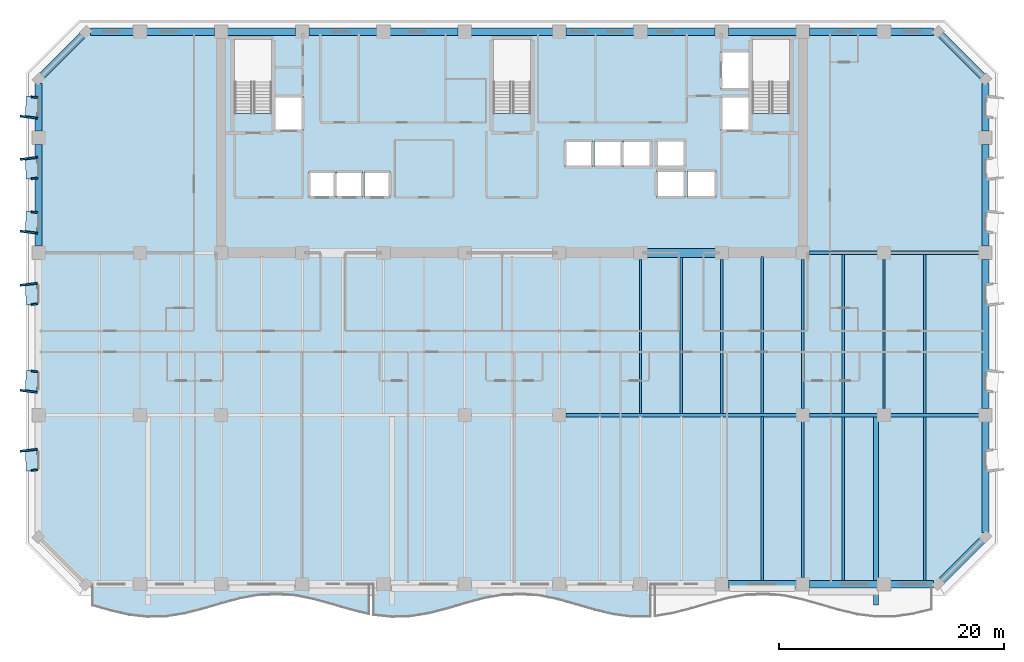
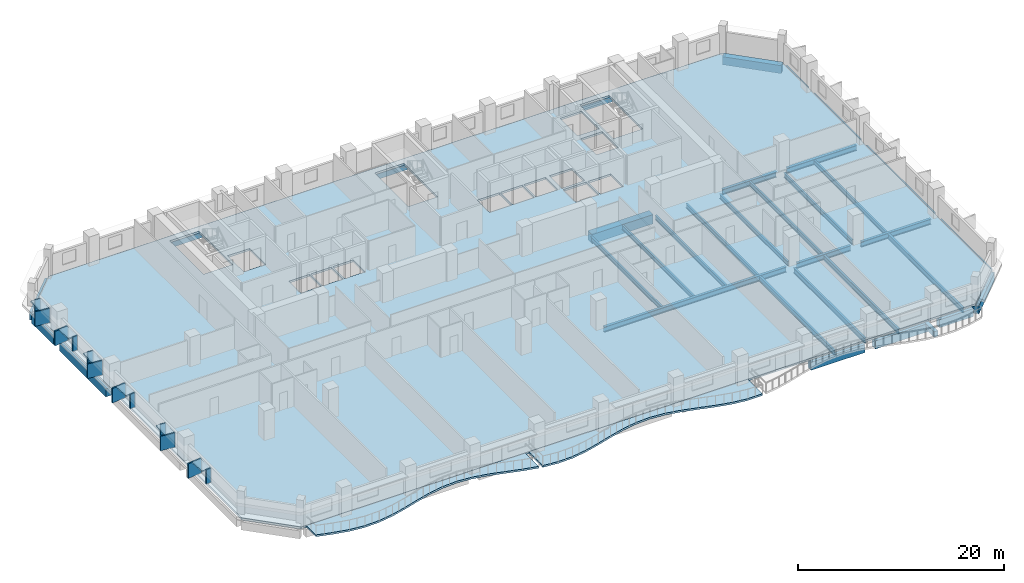
# One storey, part 2 of 14: 42 beams, 18 plates, 3 slabs.
"""IFC4 building model written with IfcOpenShell, lengths in metres."""

from ifc_helpers import new_model, si_unit, direction, frame, origin, origin_2d, place, context, subcontext, project, spatial, polyline, rectangle, i_section, outline, extrude, material, layer, layer_set, material_profile, profile_set, type_object, element, save


model = new_model("IFC4")

# Units and contexts
model_context = context("Model", 3, precision=1e-05, world=origin(), true_north=direction((0.0, 1.0)))
body_context = subcontext(model_context, "Body", "Model", "MODEL_VIEW")
ifc_project = project(units=[si_unit("LENGTHUNIT", "METRE"), si_unit("AREAUNIT", "SQUARE_METRE"), si_unit("VOLUMEUNIT", "CUBIC_METRE"), si_unit("PLANEANGLEUNIT", "RADIAN"), si_unit("MASSUNIT", "GRAM", prefix="KILO")], contexts=[model_context])

# Site, building, storey
site_placement = place(None, origin())
site = spatial("IfcSite", under=ifc_project, at=site_placement, CompositionType="ELEMENT")
building_placement = place(site_placement, origin())
building = spatial("IfcBuilding", under=site, at=building_placement, Name="Kaelvorn Grand Hotel", CompositionType="ELEMENT")
storey_placement = place(building_placement, frame((0.0, 0.0, 89.300048828125)))
storey = spatial("IfcBuildingStorey", under=building, at=storey_placement, Name="L20", CompositionType="ELEMENT", Elevation=89.300048828125)

# Beams
ifc_material_1 = material(Name="Steel S355", Category="steel")
ifc_material_profile_1 = material_profile(ifc_material_1, i_section(OverallWidth=0.300048828125, OverallDepth=0.64990234375, WebThickness=0.01611328125, FlangeThickness=0.031005859375, FilletRadius=0.027099609375, at=origin_2d()), Name="HEB 650")
ifc_profile_set_1 = profile_set([ifc_material_profile_1], Name="Steel S355")
beam_type_1 = type_object("IfcBeamType", Name="BM-G-HEB650-S355", PredefinedType="BEAM", material=ifc_profile_set_1)
beam_1_placement = place(storey_placement, frame((46.784912109375, 15.0, -0.56494140625), z_axis=(1.0, 0.0, 0.0), x_axis=(0.0, 1.0, 0.0)))
element("IfcBeam", 1, at=beam_1_placement, inside=storey, type_object=beam_type_1, Name="L20 Primary Spine Steel Girder G-15 05", PredefinedType="BEAM", context=body_context, shape_type="SweptSolid", body=[
    extrude(i_section(OverallWidth=0.300048828125, OverallDepth=0.64990234375, WebThickness=0.01611328125, FlangeThickness=0.031005859375, FilletRadius=0.027099609375, at=origin_2d()), origin(), (0.0, 0.0, 1.0), 20.43017578125),
])
beam_2_placement = place(storey_placement, frame((68.385009765625, 15.0, -0.56494140625), z_axis=(1.0, 0.0, 0.0), x_axis=(0.0, 1.0, 0.0)))
element("IfcBeam", 2, at=beam_2_placement, inside=storey, type_object=beam_type_1, Name="L20 Primary Spine Steel Girder G-15 06", PredefinedType="BEAM", context=body_context, shape_type="SweptSolid", body=[
    extrude(i_section(OverallWidth=0.300048828125, OverallDepth=0.64990234375, WebThickness=0.01611328125, FlangeThickness=0.031005859375, FilletRadius=0.027099609375, at=origin_2d()), origin(), (0.0, 0.0, 1.0), 6.030029296875),
])
beam_3_placement = place(storey_placement, frame((75.5849609375, 15.0, -0.56494140625), z_axis=(1.0, 0.0, 0.0), x_axis=(0.0, 1.0, 0.0)))
element("IfcBeam", 3, at=beam_3_placement, inside=storey, type_object=beam_type_1, Name="L20 Primary Spine Steel Girder G-15 07", PredefinedType="BEAM", context=body_context, shape_type="SweptSolid", body=[
    extrude(i_section(OverallWidth=0.300048828125, OverallDepth=0.64990234375, WebThickness=0.01611328125, FlangeThickness=0.031005859375, FilletRadius=0.027099609375, at=origin_2d()), origin(), (0.0, 0.0, 1.0), 7.830078125),
])
beam_4_placement = place(storey_placement, frame((68.385009765625, 29.39990234375, -0.56494140625), z_axis=(1.0, 0.0, 0.0), x_axis=(0.0, 1.0, 0.0)))
element("IfcBeam", 4, at=beam_4_placement, inside=storey, type_object=beam_type_1, Name="L20 East Core Wing Steel Girder G-29E 01", PredefinedType="BEAM", context=body_context, shape_type="SweptSolid", body=[
    extrude(i_section(OverallWidth=0.300048828125, OverallDepth=0.64990234375, WebThickness=0.01611328125, FlangeThickness=0.031005859375, FilletRadius=0.027099609375, at=origin_2d()), origin(), (0.0, 0.0, 1.0), 6.030029296875),
])
beam_5_placement = place(storey_placement, frame((75.5849609375, 29.39990234375, -0.56494140625), z_axis=(1.0, 0.0, 0.0), x_axis=(0.0, 1.0, 0.0)))
element("IfcBeam", 5, at=beam_5_placement, inside=storey, type_object=beam_type_1, Name="L20 East Core Wing Steel Girder G-29E 02", PredefinedType="BEAM", context=body_context, shape_type="SweptSolid", body=[
    extrude(i_section(OverallWidth=0.300048828125, OverallDepth=0.64990234375, WebThickness=0.01611328125, FlangeThickness=0.031005859375, FilletRadius=0.027099609375, at=origin_2d()), origin(), (0.0, 0.0, 1.0), 7.830078125),
])
ifc_material_profile_2 = material_profile(ifc_material_1, i_section(OverallWidth=0.209228515625, OverallDepth=0.533203125, WebThickness=0.010009765625, FlangeThickness=0.015625, FilletRadius=0.0126953125, at=origin_2d()), Name="UB 533x210x92")
ifc_profile_set_2 = profile_set([ifc_material_profile_2], Name="Steel S355")
beam_type_2 = type_object("IfcBeamType", Name="BM-J-UB533-S355", PredefinedType="JOIST", material=ifc_profile_set_2)
beam_6_placement = place(storey_placement, frame((53.39990234375, 15.135009765625, -0.506591796875), z_axis=(0.0, 1.0, 0.0), x_axis=(-1.0, 0.0, 0.0)))
element("IfcBeam", 6, at=beam_6_placement, inside=storey, type_object=beam_type_2, Name="L20 Composite Floor Joist JM-15", PredefinedType="JOIST", context=body_context, shape_type="SweptSolid", body=[
    extrude(i_section(OverallWidth=0.209228515625, OverallDepth=0.533203125, WebThickness=0.010009765625, FlangeThickness=0.015625, FilletRadius=0.0126953125, at=origin_2d()), origin(), (0.0, 0.0, 1.0), 13.679931640625),
])
beam_7_placement = place(storey_placement, frame((57.0, 15.135009765625, -0.506591796875), z_axis=(0.0, 1.0, 0.0), x_axis=(-1.0, 0.0, 0.0)))
element("IfcBeam", 7, at=beam_7_placement, inside=storey, type_object=beam_type_2, Name="L20 Composite Floor Joist JM-16", PredefinedType="JOIST", context=body_context, shape_type="SweptSolid", body=[
    extrude(i_section(OverallWidth=0.209228515625, OverallDepth=0.533203125, WebThickness=0.010009765625, FlangeThickness=0.015625, FilletRadius=0.0126953125, at=origin_2d()), origin(), (0.0, 0.0, 1.0), 13.925048828125),
])
beam_8_placement = place(storey_placement, frame((60.60009765625, 15.135009765625, -0.506591796875), z_axis=(0.0, 1.0, 0.0), x_axis=(-1.0, 0.0, 0.0)))
element("IfcBeam", 8, at=beam_8_placement, inside=storey, type_object=beam_type_2, Name="L20 Composite Floor Joist JM-17", PredefinedType="JOIST", context=body_context, shape_type="SweptSolid", body=[
    extrude(i_section(OverallWidth=0.209228515625, OverallDepth=0.533203125, WebThickness=0.010009765625, FlangeThickness=0.015625, FilletRadius=0.0126953125, at=origin_2d()), origin(), (0.0, 0.0, 1.0), 13.679931640625),
])
beam_9_placement = place(storey_placement, frame((64.199951171875, 15.135009765625, -0.506591796875), z_axis=(0.0, 1.0, 0.0), x_axis=(-1.0, 0.0, 0.0)))
element("IfcBeam", 9, at=beam_9_placement, inside=storey, type_object=beam_type_2, Name="L20 Composite Floor Joist JM-18", PredefinedType="JOIST", context=body_context, shape_type="SweptSolid", body=[
    extrude(i_section(OverallWidth=0.209228515625, OverallDepth=0.533203125, WebThickness=0.010009765625, FlangeThickness=0.015625, FilletRadius=0.0126953125, at=origin_2d()), origin(), (0.0, 0.0, 1.0), 13.925048828125),
])
beam_10_placement = place(storey_placement, frame((67.800048828125, 15.5849609375, -0.506591796875), z_axis=(0.0, 1.0, 0.0), x_axis=(-1.0, 0.0, 0.0)))
element("IfcBeam", 10, at=beam_10_placement, inside=storey, type_object=beam_type_2, Name="L20 Composite Floor Joist JM-19", PredefinedType="JOIST", context=body_context, shape_type="SweptSolid", body=[
    extrude(i_section(OverallWidth=0.209228515625, OverallDepth=0.533203125, WebThickness=0.010009765625, FlangeThickness=0.015625, FilletRadius=0.0126953125, at=origin_2d()), origin(), (0.0, 0.0, 1.0), 13.22998046875),
])
beam_11_placement = place(storey_placement, frame((71.39990234375, 15.135009765625, -0.506591796875), z_axis=(0.0, 1.0, 0.0), x_axis=(-1.0, 0.0, 0.0)))
element("IfcBeam", 11, at=beam_11_placement, inside=storey, type_object=beam_type_2, Name="L20 Composite Floor Joist JM-20", PredefinedType="JOIST", context=body_context, shape_type="SweptSolid", body=[
    extrude(i_section(OverallWidth=0.209228515625, OverallDepth=0.533203125, WebThickness=0.010009765625, FlangeThickness=0.015625, FilletRadius=0.0126953125, at=origin_2d()), origin(), (0.0, 0.0, 1.0), 14.1298828125),
])
beam_12_placement = place(storey_placement, frame((75.0, 15.5849609375, -0.506591796875), z_axis=(0.0, 1.0, 0.0), x_axis=(-1.0, 0.0, 0.0)))
element("IfcBeam", 12, at=beam_12_placement, inside=storey, type_object=beam_type_2, Name="L20 Composite Floor Joist JM-21", PredefinedType="JOIST", context=body_context, shape_type="SweptSolid", body=[
    extrude(i_section(OverallWidth=0.209228515625, OverallDepth=0.533203125, WebThickness=0.010009765625, FlangeThickness=0.015625, FilletRadius=0.0126953125, at=origin_2d()), origin(), (0.0, 0.0, 1.0), 13.22998046875),
])
beam_13_placement = place(storey_placement, frame((78.60009765625, 15.135009765625, -0.506591796875), z_axis=(0.0, 1.0, 0.0), x_axis=(-1.0, 0.0, 0.0)))
element("IfcBeam", 13, at=beam_13_placement, inside=storey, type_object=beam_type_2, Name="L20 Composite Floor Joist JM-22", PredefinedType="JOIST", context=body_context, shape_type="SweptSolid", body=[
    extrude(i_section(OverallWidth=0.209228515625, OverallDepth=0.533203125, WebThickness=0.010009765625, FlangeThickness=0.015625, FilletRadius=0.0126953125, at=origin_2d()), origin(), (0.0, 0.0, 1.0), 14.1298828125),
])
ifc_material_profile_3 = material_profile(ifc_material_1, i_section(OverallWidth=0.22900390625, OverallDepth=0.6123046875, WebThickness=0.011962890625, FlangeThickness=0.01953125, FilletRadius=0.0126953125, at=origin_2d()), Name="UB 610x229x125")
ifc_profile_set_3 = profile_set([ifc_material_profile_3], Name="Steel S355")
beam_type_3 = type_object("IfcBeamType", Name="BM-J-UB610-S355", PredefinedType="JOIST", material=ifc_profile_set_3)
beam_14_placement = place(storey_placement, frame((64.199951171875, 0.31005859375, -0.546142578125), z_axis=(0.0, 1.0, 0.0), x_axis=(-1.0, 0.0, 0.0)))
element("IfcBeam", 14, at=beam_14_placement, inside=storey, type_object=beam_type_3, Name="L20 Composite Floor Joist JS-18", PredefinedType="JOIST", context=body_context, shape_type="SweptSolid", body=[
    extrude(i_section(OverallWidth=0.22900390625, OverallDepth=0.6123046875, WebThickness=0.011962890625, FlangeThickness=0.01953125, FilletRadius=0.0126953125, at=origin_2d()), origin(), (0.0, 0.0, 1.0), 14.554931640625),
])
beam_15_placement = place(storey_placement, frame((67.800048828125, 0.5849609375, -0.546142578125), z_axis=(0.0, 1.0, 0.0), x_axis=(-1.0, 0.0, 0.0)))
element("IfcBeam", 15, at=beam_15_placement, inside=storey, type_object=beam_type_3, Name="L20 Composite Floor Joist JS-19", PredefinedType="JOIST", context=body_context, shape_type="SweptSolid", body=[
    extrude(i_section(OverallWidth=0.22900390625, OverallDepth=0.6123046875, WebThickness=0.011962890625, FlangeThickness=0.01953125, FilletRadius=0.0126953125, at=origin_2d()), origin(), (0.0, 0.0, 1.0), 13.830078125),
])
for number, where, z_axis, x_axis, name in (
    (16, (71.39990234375, 0.31005859375, -0.546142578125), (0.0, 1.0, 0.0), (-1.0, 0.0, 0.0), "L20 Composite Floor Joist JS-20"),
    (17, (78.60009765625, 0.31005859375, -0.546142578125), (0.0, 1.0, 0.0), (-1.0, 0.0, 0.0), "L20 Composite Floor Joist JS-22"),
):
    element("IfcBeam", number, at=place(storey_placement, frame(where, z_axis=z_axis, x_axis=x_axis)), inside=storey, type_object=beam_type_3, Name=name, PredefinedType="JOIST", context=body_context, shape_type="SweptSolid", body=[
        extrude(i_section(OverallWidth=0.22900390625, OverallDepth=0.6123046875, WebThickness=0.011962890625, FlangeThickness=0.01953125, FilletRadius=0.0126953125, at=origin_2d()), origin(), (0.0, 0.0, 1.0), 14.554931640625),
    ])
ifc_material_2 = material(Name="Concrete C60/75", Category="concrete")
ifc_material_profile_4 = material_profile(ifc_material_2, rectangle(XDim=0.800048828125, YDim=1.10009765625, at=origin_2d()), Name="RC LINTEL 800x1100")
ifc_profile_set_4 = profile_set([ifc_material_profile_4], Name="Concrete C60/75")
beam_type_4 = type_object("IfcBeamType", Name="BM-LIN-800x1100-C60", PredefinedType="LINTEL", material=ifc_profile_set_4)
beam_16_placement = place(storey_placement, frame((53.580078125, 29.39990234375, -0.7900390625), z_axis=(1.0, 0.0, 0.0), x_axis=(0.0, 1.0, 0.0)))
element("IfcBeam", 18, at=beam_16_placement, inside=storey, type_object=beam_type_4, Name="L20 Rear-Core Coupling Lintel Beam CB1-03", PredefinedType="LINTEL", context=body_context, shape_type="SweptSolid", body=[
    extrude(rectangle(XDim=0.800048828125, YDim=1.10009765625, at=origin_2d()), origin(), (0.0, 0.0, 1.0), 6.83984375),
])
ifc_material_3 = material(Name="Concrete C40/50", Category="concrete")
ifc_material_profile_5 = material_profile(ifc_material_3, rectangle(XDim=0.449951171875, YDim=0.64990234375, at=origin_2d()), Name="RC RIB 450x650")
ifc_profile_set_5 = profile_set([ifc_material_profile_5], Name="Concrete C40/50")
beam_type_5 = type_object("IfcBeamType", Name="BM-RIB-450x650-C40", PredefinedType="SPANDREL", material=ifc_profile_set_5)
beam_17_placement = place(storey_placement, frame((74.293212890625, -1.85009765625, -0.545166015625), z_axis=(0.0, 1.0, 0.0), x_axis=(-1.0, 0.0, 0.0)))
element("IfcBeam", 19, at=beam_17_placement, inside=storey, type_object=beam_type_5, Name="L20 Cantilevered Balcony Back-Span Rib RB1-3", PredefinedType="SPANDREL", context=body_context, shape_type="SweptSolid", body=[
    extrude(rectangle(XDim=0.449951171875, YDim=0.64990234375, at=origin_2d()), origin(), (0.0, 0.0, 1.0), 16.715087890625),
])
ifc_material_profile_6 = material_profile(ifc_material_2, rectangle(XDim=0.64990234375, YDim=0.949951171875, at=origin_2d()), Name="RC SPANDREL 650x950")
ifc_profile_set_6 = profile_set([ifc_material_profile_6], Name="Concrete C60/75")
beam_type_6 = type_object("IfcBeamType", Name="BM-SP-650x950-C60", PredefinedType="SPANDREL", material=ifc_profile_set_6)
for number, where, z_axis, x_axis, name in (
    (20, (61.18505859375, 0.0, -0.715087890625), (1.0, 0.0, 0.0), (0.0, 1.0, 0.0), "L20 South Perimeter Spandrel 09"),
    (21, (68.385009765625, 0.0, -0.715087890625), (1.0, 0.0, 0.0), (0.0, 1.0, 0.0), "L20 South Perimeter Spandrel 10"),
):
    element("IfcBeam", number, at=place(storey_placement, frame(where, z_axis=z_axis, x_axis=x_axis)), inside=storey, type_object=beam_type_6, Name=name, PredefinedType="SPANDREL", context=body_context, shape_type="SweptSolid", body=[
        extrude(rectangle(XDim=0.64990234375, YDim=0.949951171875, at=origin_2d()), origin(), (0.0, 0.0, 1.0), 6.030029296875),
    ])
for number, where, z_axis, x_axis, name in (
    (22, (75.5849609375, 0.0, -0.715087890625), (1.0, 0.0, 0.0), (0.0, 1.0, 0.0), "L20 South Perimeter Spandrel 11"),
    (23, (4.60498046875, 49.0, -0.715087890625), (1.0, 0.0, 0.0), (0.0, 1.0, 0.0), "L20 North Perimeter Spandrel 01"),
):
    element("IfcBeam", number, at=place(storey_placement, frame(where, z_axis=z_axis, x_axis=x_axis)), inside=storey, type_object=beam_type_6, Name=name, PredefinedType="SPANDREL", context=body_context, shape_type="SweptSolid", body=[
        extrude(rectangle(XDim=0.64990234375, YDim=0.949951171875, at=origin_2d()), origin(), (0.0, 0.0, 1.0), 3.81005859375),
    ])
for number, where, z_axis, x_axis, name in (
    (24, (9.5849609375, 49.0, -0.715087890625), (1.0, 0.0, 0.0), (0.0, 1.0, 0.0), "L20 North Perimeter Spandrel 02"),
    (25, (16.784912109375, 49.0, -0.715087890625), (1.0, 0.0, 0.0), (0.0, 1.0, 0.0), "L20 North Perimeter Spandrel 03"),
):
    element("IfcBeam", number, at=place(storey_placement, frame(where, z_axis=z_axis, x_axis=x_axis)), inside=storey, type_object=beam_type_6, Name=name, PredefinedType="SPANDREL", context=body_context, shape_type="SweptSolid", body=[
        extrude(rectangle(XDim=0.64990234375, YDim=0.949951171875, at=origin_2d()), origin(), (0.0, 0.0, 1.0), 6.030029296875),
    ])
beam_18_placement = place(storey_placement, frame((23.985107421875, 49.0, -0.715087890625), z_axis=(1.0, 0.0, 0.0), x_axis=(0.0, 1.0, 0.0)))
element("IfcBeam", 26, at=beam_18_placement, inside=storey, type_object=beam_type_6, Name="L20 North Perimeter Spandrel 04", PredefinedType="SPANDREL", context=body_context, shape_type="SweptSolid", body=[
    extrude(rectangle(XDim=0.64990234375, YDim=0.949951171875, at=origin_2d()), origin(), (0.0, 0.0, 1.0), 6.02978515625),
])
beam_19_placement = place(storey_placement, frame((31.18505859375, 49.0, -0.715087890625), z_axis=(1.0, 0.0, 0.0), x_axis=(0.0, 1.0, 0.0)))
element("IfcBeam", 27, at=beam_19_placement, inside=storey, type_object=beam_type_6, Name="L20 North Perimeter Spandrel 05", PredefinedType="SPANDREL", context=body_context, shape_type="SweptSolid", body=[
    extrude(rectangle(XDim=0.64990234375, YDim=0.949951171875, at=origin_2d()), origin(), (0.0, 0.0, 1.0), 6.030029296875),
])
beam_20_placement = place(storey_placement, frame((38.385009765625, 49.0, -0.715087890625), z_axis=(1.0, 0.0, 0.0), x_axis=(0.0, 1.0, 0.0)))
element("IfcBeam", 28, at=beam_20_placement, inside=storey, type_object=beam_type_6, Name="L20 North Perimeter Spandrel 06", PredefinedType="SPANDREL", context=body_context, shape_type="SweptSolid", body=[
    extrude(rectangle(XDim=0.64990234375, YDim=0.949951171875, at=origin_2d()), origin(), (0.0, 0.0, 1.0), 7.22998046875),
])
beam_21_placement = place(storey_placement, frame((46.784912109375, 49.0, -0.715087890625), z_axis=(1.0, 0.0, 0.0), x_axis=(0.0, 1.0, 0.0)))
element("IfcBeam", 29, at=beam_21_placement, inside=storey, type_object=beam_type_6, Name="L20 North Perimeter Spandrel 07", PredefinedType="SPANDREL", context=body_context, shape_type="SweptSolid", body=[
    extrude(rectangle(XDim=0.64990234375, YDim=0.949951171875, at=origin_2d()), origin(), (0.0, 0.0, 1.0), 6.030029296875),
])
beam_22_placement = place(storey_placement, frame((53.985107421875, 49.0, -0.715087890625), z_axis=(1.0, 0.0, 0.0), x_axis=(0.0, 1.0, 0.0)))
element("IfcBeam", 30, at=beam_22_placement, inside=storey, type_object=beam_type_6, Name="L20 North Perimeter Spandrel 08", PredefinedType="SPANDREL", context=body_context, shape_type="SweptSolid", body=[
    extrude(rectangle(XDim=0.64990234375, YDim=0.949951171875, at=origin_2d()), origin(), (0.0, 0.0, 1.0), 6.02978515625),
])
for number, where, z_axis, x_axis, name in (
    (31, (61.18505859375, 49.0, -0.715087890625), (1.0, 0.0, 0.0), (0.0, 1.0, 0.0), "L20 North Perimeter Spandrel 09"),
    (32, (68.385009765625, 49.0, -0.715087890625), (1.0, 0.0, 0.0), (0.0, 1.0, 0.0), "L20 North Perimeter Spandrel 10"),
):
    element("IfcBeam", number, at=place(storey_placement, frame(where, z_axis=z_axis, x_axis=x_axis)), inside=storey, type_object=beam_type_6, Name=name, PredefinedType="SPANDREL", context=body_context, shape_type="SweptSolid", body=[
        extrude(rectangle(XDim=0.64990234375, YDim=0.949951171875, at=origin_2d()), origin(), (0.0, 0.0, 1.0), 6.030029296875),
    ])
beam_23_placement = place(storey_placement, frame((75.5849609375, 49.0, -0.715087890625), z_axis=(1.0, 0.0, 0.0), x_axis=(0.0, 1.0, 0.0)))
element("IfcBeam", 33, at=beam_23_placement, inside=storey, type_object=beam_type_6, Name="L20 North Perimeter Spandrel 11", PredefinedType="SPANDREL", context=body_context, shape_type="SweptSolid", body=[
    extrude(rectangle(XDim=0.64990234375, YDim=0.949951171875, at=origin_2d()), origin(), (0.0, 0.0, 1.0), 3.81005859375),
])
beam_24_placement = place(storey_placement, frame((0.0, 29.985107421875, -0.715087890625), z_axis=(0.0, 1.0, 0.0), x_axis=(-1.0, 0.0, 0.0)))
element("IfcBeam", 34, at=beam_24_placement, inside=storey, type_object=beam_type_6, Name="L20 West Perimeter Spandrel 03", PredefinedType="SPANDREL", context=body_context, shape_type="SweptSolid", body=[
    extrude(rectangle(XDim=0.64990234375, YDim=0.949951171875, at=origin_2d()), origin(), (0.0, 0.0, 1.0), 9.02978515625),
])
beam_25_placement = place(storey_placement, frame((0.0, 40.18505859375, -0.715087890625), z_axis=(0.0, 1.0, 0.0), x_axis=(-1.0, 0.0, 0.0)))
element("IfcBeam", 35, at=beam_25_placement, inside=storey, type_object=beam_type_6, Name="L20 West Perimeter Spandrel 04", PredefinedType="SPANDREL", context=body_context, shape_type="SweptSolid", body=[
    extrude(rectangle(XDim=0.64990234375, YDim=0.949951171875, at=origin_2d()), origin(), (0.0, 0.0, 1.0), 4.2099609375),
])
beam_26_placement = place(storey_placement, frame((84.0, 4.60498046875, -0.715087890625), z_axis=(0.0, 1.0, 0.0), x_axis=(-1.0, 0.0, 0.0)))
element("IfcBeam", 36, at=beam_26_placement, inside=storey, type_object=beam_type_6, Name="L20 East Perimeter Spandrel 01", PredefinedType="SPANDREL", context=body_context, shape_type="SweptSolid", body=[
    extrude(rectangle(XDim=0.64990234375, YDim=0.949951171875, at=origin_2d()), origin(), (0.0, 0.0, 1.0), 9.81005859375),
])
beam_27_placement = place(storey_placement, frame((84.0, 15.5849609375, -0.715087890625), z_axis=(0.0, 1.0, 0.0), x_axis=(-1.0, 0.0, 0.0)))
element("IfcBeam", 37, at=beam_27_placement, inside=storey, type_object=beam_type_6, Name="L20 East Perimeter Spandrel 02", PredefinedType="SPANDREL", context=body_context, shape_type="SweptSolid", body=[
    extrude(rectangle(XDim=0.64990234375, YDim=0.949951171875, at=origin_2d()), origin(), (0.0, 0.0, 1.0), 13.22998046875),
])
beam_28_placement = place(storey_placement, frame((84.0, 29.985107421875, -0.715087890625), z_axis=(0.0, 1.0, 0.0), x_axis=(-1.0, 0.0, 0.0)))
element("IfcBeam", 38, at=beam_28_placement, inside=storey, type_object=beam_type_6, Name="L20 East Perimeter Spandrel 03", PredefinedType="SPANDREL", context=body_context, shape_type="SweptSolid", body=[
    extrude(rectangle(XDim=0.64990234375, YDim=0.949951171875, at=origin_2d()), origin(), (0.0, 0.0, 1.0), 9.02978515625),
])
beam_29_placement = place(storey_placement, frame((84.0, 40.18505859375, -0.715087890625), z_axis=(0.0, 1.0, 0.0), x_axis=(-1.0, 0.0, 0.0)))
element("IfcBeam", 39, at=beam_29_placement, inside=storey, type_object=beam_type_6, Name="L20 East Perimeter Spandrel 04", PredefinedType="SPANDREL", context=body_context, shape_type="SweptSolid", body=[
    extrude(rectangle(XDim=0.64990234375, YDim=0.949951171875, at=origin_2d()), origin(), (0.0, 0.0, 1.0), 4.2099609375),
])
for number, where, z_axis, x_axis, name in (
    (40, (79.800048828125, 0.0, -0.715087890625), (0.707106781187, 0.707106781187, 0.0), (-0.707106781187, 0.707106781187, 0.0), "L20 Chamfer Spandrel Beam 1"),
    (41, (84.0, 44.800048828125, -0.715087890625), (-0.707106781187, 0.707106781187, 0.0), (-0.707106781187, -0.707106781187, 0.0), "L20 Chamfer Spandrel Beam 2"),
    (42, (4.199951171875, 49.0, -0.715087890625), (-0.707106781187, -0.707106781187, 0.0), (0.707106781187, -0.707106781187, 0.0), "L20 Chamfer Spandrel Beam 3"),
):
    element("IfcBeam", number, at=place(storey_placement, frame(where, z_axis=z_axis, x_axis=x_axis)), inside=storey, type_object=beam_type_6, Name=name, PredefinedType="SPANDREL", context=body_context, shape_type="SweptSolid", body=[
        extrude(rectangle(XDim=0.64990234375, YDim=0.949951171875, at=origin_2d()), origin(), (0.0, 0.0, 1.0), 5.939697265625),
    ])

# Plates
ifc_material_4 = material(Name="Precast concrete C45/55", Category="concrete")
ifc_layer_1 = layer(ifc_material_4, 0.159912109375)
ifc_layer_set_1 = layer_set([ifc_layer_1], Name="Precast concrete C45/55")
plate_type_1 = type_object("IfcPlateType", Name="PL-FRAME-DEEP-1550", PredefinedType="USERDEFINED", material=ifc_layer_set_1)
for number, where, z_axis, x_axis, name in (
    (43, (-0.864990234375, 11.889892578125, 0.68994140625), (0.0, 0.0, 1.0), (-0.121869343405, 0.992546151641, 0.0), "L20 Tilted Precast Window Frame Fin R-W01"),
    (44, (-0.864990234375, 17.110107421875, 0.68994140625), (0.0, 0.0, 1.0), (0.121869343405, 0.992546151641, 0.0), "L20 Tilted Precast Window Frame Fin L-W02"),
    (45, (-0.864990234375, 26.614990234375, 0.68994140625), (0.0, 0.0, 1.0), (-0.121869343405, 0.992546151641, 0.0), "L20 Tilted Precast Window Frame Fin R-W03"),
    (46, (-0.864990234375, 31.22509765625, 0.68994140625), (0.0, 0.0, 1.0), (0.121869343405, 0.992546151641, 0.0), "L20 Tilted Precast Window Frame Fin L-W04"),
    (47, (-0.864990234375, 37.77490234375, 0.68994140625), (0.0, 0.0, 1.0), (-0.121869343405, 0.992546151641, 0.0), "L20 Tilted Precast Window Frame Fin R-W05"),
    (48, (-0.864990234375, 41.425048828125, 0.68994140625), (0.0, 0.0, 1.0), (0.121869343405, 0.992546151641, 0.0), "L20 Tilted Precast Window Frame Fin L-W06"),
):
    element("IfcPlate", number, at=place(storey_placement, frame(where, z_axis=z_axis, x_axis=x_axis)), inside=storey, type_object=plate_type_1, Name=name, ObjectType="FLANGE_PLATE", PredefinedType="USERDEFINED", context=body_context, shape_type="SweptSolid", body=[
        extrude(rectangle(XDim=0.159912109375, YDim=1.550048828125, at=origin_2d()), origin(), (0.0, 0.0, 1.0), 1.719970703125),
    ])
ifc_layer_2 = layer(ifc_material_4, 0.159912109375)
ifc_layer_set_2 = layer_set([ifc_layer_2], Name="Precast concrete C45/55")
plate_type_2 = type_object("IfcPlateType", Name="PL-FRAME-HEAD-1050", PredefinedType="USERDEFINED", material=ifc_layer_set_2)
for number, where, z_axis, x_axis, name in (
    (49, (-0.614990234375, 11.0, 2.25), (0.0, 0.0, 1.0), (-0.054950179912, 0.998489097451, 0.0), "L20 Precast Window Frame Head Hood H-W01"),
    (50, (-0.614990234375, 18.0, 2.25), (0.0, 0.0, 1.0), (0.054950179912, 0.998489097451, 0.0), "L20 Precast Window Frame Head Hood H-W02"),
    (51, (-0.614990234375, 25.72509765625, 2.25), (0.0, 0.0, 1.0), (-0.054950179912, 0.998489097451, 0.0), "L20 Precast Window Frame Head Hood H-W03"),
    (52, (-0.614990234375, 32.114990234375, 2.25), (0.0, 0.0, 1.0), (0.054950179912, 0.998489097451, 0.0), "L20 Precast Window Frame Head Hood H-W04"),
    (53, (-0.614990234375, 36.885009765625, 2.25), (0.0, 0.0, 1.0), (-0.054950179912, 0.998489097451, 0.0), "L20 Precast Window Frame Head Hood H-W05"),
    (54, (-0.614990234375, 42.31494140625, 2.25), (0.0, 0.0, 1.0), (0.054950179912, 0.998489097451, 0.0), "L20 Precast Window Frame Head Hood H-W06"),
):
    element("IfcPlate", number, at=place(storey_placement, frame(where, z_axis=z_axis, x_axis=x_axis)), inside=storey, type_object=plate_type_2, Name=name, ObjectType="FLANGE_PLATE", PredefinedType="USERDEFINED", context=body_context, shape_type="SweptSolid", body=[
        extrude(rectangle(XDim=1.860107421875, YDim=1.050048828125, at=origin_2d()), origin(), (0.0, 0.0, 1.0), 0.159912109375),
    ])
ifc_layer_3 = layer(ifc_material_4, 0.159912109375)
ifc_layer_set_3 = layer_set([ifc_layer_3], Name="Precast concrete C45/55")
plate_type_3 = type_object("IfcPlateType", Name="PL-FRAME-SHAL-550", PredefinedType="USERDEFINED", material=ifc_layer_set_3)
for number, where, z_axis, x_axis, name in (
    (55, (-0.364990234375, 10.110107421875, 0.68994140625), (0.0, 0.0, 1.0), (-0.121869343405, 0.992546151641, 0.0), "L20 Tilted Precast Window Frame Fin L-W01"),
    (56, (-0.364990234375, 18.889892578125, 0.68994140625), (0.0, 0.0, 1.0), (0.121869343405, 0.992546151641, 0.0), "L20 Tilted Precast Window Frame Fin R-W02"),
    (57, (-0.364990234375, 24.8349609375, 0.68994140625), (0.0, 0.0, 1.0), (-0.121869343405, 0.992546151641, 0.0), "L20 Tilted Precast Window Frame Fin L-W03"),
    (58, (-0.364990234375, 33.0048828125, 0.68994140625), (0.0, 0.0, 1.0), (0.121869343405, 0.992546151641, 0.0), "L20 Tilted Precast Window Frame Fin R-W04"),
    (59, (-0.364990234375, 35.9951171875, 0.68994140625), (0.0, 0.0, 1.0), (-0.121869343405, 0.992546151641, 0.0), "L20 Tilted Precast Window Frame Fin L-W05"),
    (60, (-0.364990234375, 43.205078125, 0.68994140625), (0.0, 0.0, 1.0), (0.121869343405, 0.992546151641, 0.0), "L20 Tilted Precast Window Frame Fin R-W06"),
):
    element("IfcPlate", number, at=place(storey_placement, frame(where, z_axis=z_axis, x_axis=x_axis)), inside=storey, type_object=plate_type_3, Name=name, ObjectType="FLANGE_PLATE", PredefinedType="USERDEFINED", context=body_context, shape_type="SweptSolid", body=[
        extrude(rectangle(XDim=0.159912109375, YDim=0.550048828125, at=origin_2d()), origin(), (0.0, 0.0, 1.0), 1.719970703125),
    ])

# Slabs
ifc_layer_4 = layer(ifc_material_3, 0.219970703125)
ifc_layer_set_4 = layer_set([ifc_layer_4], Name="Concrete C40/50")
slab_type_1 = type_object("IfcSlabType", Name="SLB-BALC-220-C40", PredefinedType="FLOOR", material=ifc_layer_set_4)
slab_1_placement = place(storey_placement, frame((0.0, 0.0, -0.219970703125)))
element("IfcSlab", 61, at=slab_1_placement, inside=storey, type_object=slab_type_1, Name="L20 Scalloped Wave Balcony Slab 1", PredefinedType="FLOOR", context=body_context, shape_type="SweptSolid", body=[
    extrude(outline(polyline([(4.800048828125, -1.875), (6.435546875, -2.344482421875), (8.071044921875, -2.709716796875), (9.706787109375, -2.889404296875), (11.34228515625, -2.843994140625), (12.977783203125, -2.583251953125), (14.61328125, -2.165283203125), (16.248779296875, -1.6826171875), (17.884521484375, -1.242919921875), (19.52001953125, -0.943603515625), (21.155517578125, -0.85107421875), (22.791015625, -0.986083984375), (24.4267578125, -1.318359375), (26.062255859375, -1.7744140625), (27.69775390625, -2.2529296875), (29.333251953125, -2.647216796875), (29.333251953125, 0.0), (4.800048828125, 0.0), (4.800048828125, -1.875)])), origin(), (0.0, 0.0, 1.0), 0.219970703125),
])
slab_2_placement = place(storey_placement, frame((0.0, 0.0, -0.219970703125)))
element("IfcSlab", 62, at=slab_2_placement, inside=storey, type_object=slab_type_1, Name="L20 Scalloped Wave Balcony Slab 2", PredefinedType="FLOOR", context=body_context, shape_type="SweptSolid", body=[
    extrude(outline(polyline([(29.7333984375, -2.72021484375), (31.368896484375, -2.891845703125), (33.00439453125, -2.837646484375), (34.639892578125, -2.569580078125), (36.275634765625, -2.147216796875), (37.9111328125, -1.66455078125), (39.546630859375, -1.228515625), (41.18212890625, -0.93603515625), (42.81787109375, -0.85205078125), (44.453369140625, -0.995361328125), (46.0888671875, -1.333984375), (47.724365234375, -1.79296875), (49.360107421875, -2.27001953125), (50.99560546875, -2.659423828125), (52.631103515625, -2.87451171875), (54.2666015625, -2.86767578125), (54.2666015625, 0.0), (29.7333984375, 0.0), (29.7333984375, -2.72021484375)])), origin(), (0.0, 0.0, 1.0), 0.219970703125),
])
ifc_layer_5 = layer(ifc_material_3, 0.239990234375)
ifc_layer_set_5 = layer_set([ifc_layer_5], Name="Concrete C40/50")
slab_type_2 = type_object("IfcSlabType", Name="SLB-FLR-240-C40", PredefinedType="FLOOR", material=ifc_layer_set_5)
slab_3_placement = place(storey_placement, frame((0.0, 0.0, -0.239990234375)))
element("IfcSlab", 63, at=slab_3_placement, inside=storey, type_object=slab_type_2, Name="L20 Indoor Suspended Floor Slab", PredefinedType="FLOOR", context=body_context, shape_type="SweptSolid", body=[
    extrude(outline(polyline([(4.199951171875, 0.0), (79.800048828125, 0.0), (84.0, 4.199951171875), (84.0, 44.800048828125), (79.800048828125, 49.0), (4.199951171875, 49.0), (0.0, 44.800048828125), (0.0, 4.199951171875), (4.199951171875, 0.0)]), holes=[polyline([(17.39990234375, 41.760009765625), (17.39990234375, 48.300048828125), (20.679931640625, 48.300048828125), (20.679931640625, 41.760009765625), (17.39990234375, 41.760009765625)]), polyline([(40.360107421875, 41.760009765625), (40.360107421875, 48.300048828125), (43.639892578125, 48.300048828125), (43.639892578125, 41.760009765625), (40.360107421875, 41.760009765625)]), polyline([(63.320068359375, 41.760009765625), (63.320068359375, 48.300048828125), (66.60009765625, 48.300048828125), (66.60009765625, 41.760009765625), (63.320068359375, 41.760009765625)]), polyline([(24.0, 34.300048828125), (24.0, 36.60009765625), (26.300048828125, 36.60009765625), (26.300048828125, 34.300048828125), (24.0, 34.300048828125)]), polyline([(26.449951171875, 34.300048828125), (26.449951171875, 36.60009765625), (28.75, 36.60009765625), (28.75, 34.300048828125), (26.449951171875, 34.300048828125)]), polyline([(28.89990234375, 34.300048828125), (28.89990234375, 36.60009765625), (31.199951171875, 36.60009765625), (31.199951171875, 34.300048828125), (28.89990234375, 34.300048828125)]), polyline([(46.699951171875, 37.0), (46.699951171875, 39.35009765625), (49.14990234375, 39.35009765625), (49.14990234375, 37.0), (46.699951171875, 37.0)]), polyline([(49.300048828125, 37.0), (49.300048828125, 39.35009765625), (51.75, 39.35009765625), (51.75, 37.0), (49.300048828125, 37.0)]), polyline([(51.89990234375, 37.0), (51.89990234375, 39.35009765625), (54.35009765625, 39.35009765625), (54.35009765625, 37.0), (51.89990234375, 37.0)]), polyline([(54.800048828125, 34.300048828125), (54.800048828125, 36.699951171875), (57.35009765625, 36.699951171875), (57.35009765625, 34.300048828125), (54.800048828125, 34.300048828125)]), polyline([(57.550048828125, 34.300048828125), (57.550048828125, 36.699951171875), (60.10009765625, 36.699951171875), (60.10009765625, 34.300048828125), (57.550048828125, 34.300048828125)]), polyline([(54.800048828125, 37.0), (54.800048828125, 39.39990234375), (57.35009765625, 39.39990234375), (57.35009765625, 37.0), (54.800048828125, 37.0)]), polyline([(21.0, 40.199951171875), (21.0, 43.300048828125), (23.449951171875, 43.300048828125), (23.449951171875, 40.199951171875), (21.0, 40.199951171875)]), polyline([(60.550048828125, 40.199951171875), (60.550048828125, 43.300048828125), (63.0, 43.300048828125), (63.0, 40.199951171875), (60.550048828125, 40.199951171875)]), polyline([(60.550048828125, 43.89990234375), (60.550048828125, 47.300048828125), (63.0, 47.300048828125), (63.0, 43.89990234375), (60.550048828125, 43.89990234375)])]), origin(), (0.0, 0.0, 1.0), 0.239990234375),
])

save(model, "model.ifc")
